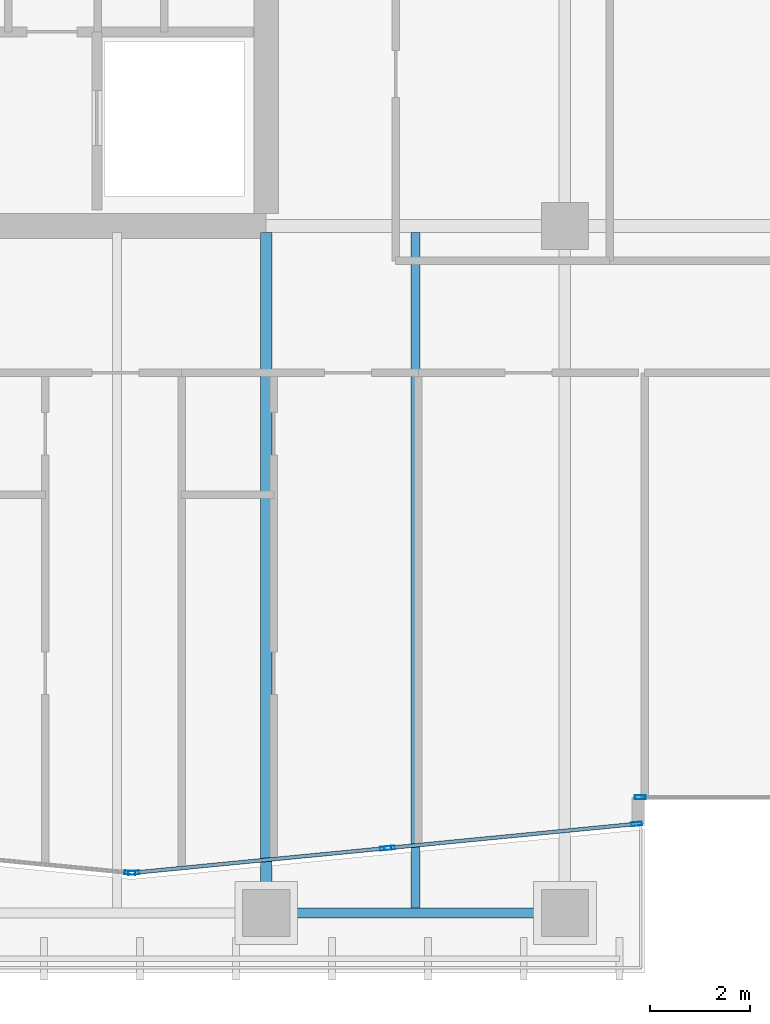
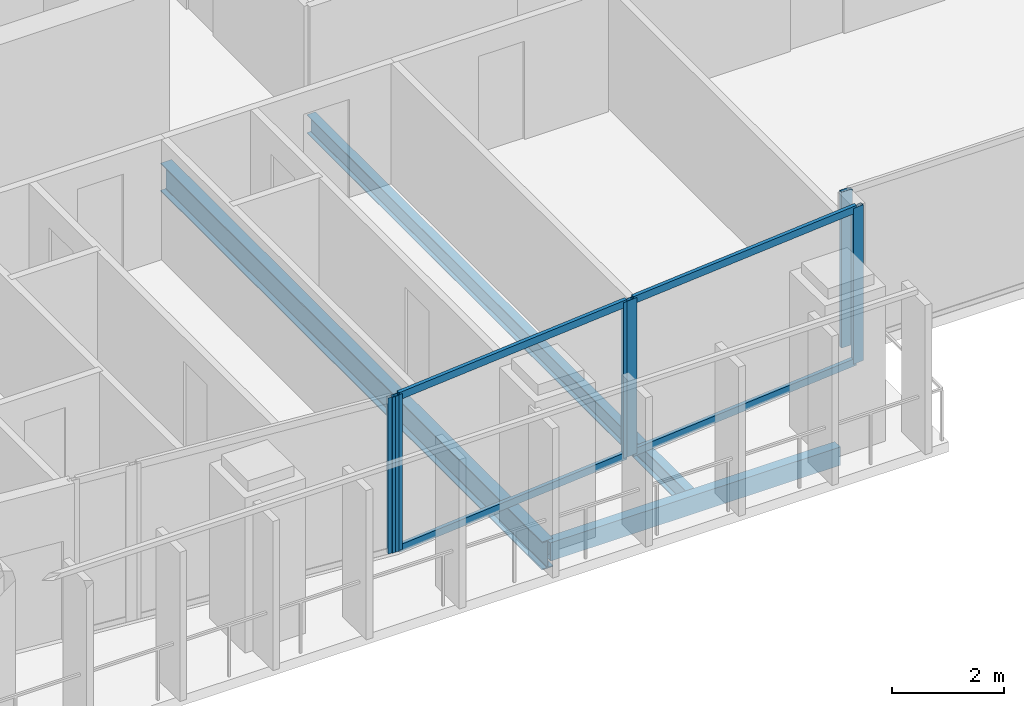
# One storey, part 5 of 39: 10 members, 3 beams, 4 elements without a shape of their own.
"""IFC4 building model written with IfcOpenShell, lengths in metres."""

from ifc_helpers import new_model, si_unit, direction, frame, origin, origin_2d, place, context, subcontext, project, spatial, hollow_rectangle, i_section, extrude, material, layer, layer_set, material_profile, profile_set, type_object, element, aggregate, save


model = new_model("IFC4")

# Units and contexts
model_context = context("Model", 3, precision=1e-05, world=origin(), true_north=direction((0.0, 1.0)))
body_context = subcontext(model_context, "Body", "Model", "MODEL_VIEW")
ifc_project = project(units=[si_unit("LENGTHUNIT", "METRE"), si_unit("AREAUNIT", "SQUARE_METRE"), si_unit("VOLUMEUNIT", "CUBIC_METRE"), si_unit("PLANEANGLEUNIT", "RADIAN"), si_unit("MASSUNIT", "GRAM", prefix="KILO")], contexts=[model_context])

# Site, building, storey
site_placement = place(None, origin())
site = spatial("IfcSite", under=ifc_project, at=site_placement, CompositionType="ELEMENT")
building_placement = place(site_placement, origin())
building = spatial("IfcBuilding", under=site, at=building_placement, Name="Tanjung Sevakor Pilgrim Tower", CompositionType="ELEMENT")
storey_placement = place(building_placement, frame((0.0, 0.0, 108.570068359375)))
storey = spatial("IfcBuildingStorey", under=building, at=storey_placement, Name="L30", CompositionType="ELEMENT", Elevation=108.570068359375)

# Beams
ifc_material_1 = material(Name="Steel S355J2", Category="steel")
ifc_material_profile_1 = material_profile(ifc_material_1, i_section(OverallWidth=0.230224609375, OverallDepth=0.6171875, WebThickness=0.01318359375, FlangeThickness=0.022216796875, FilletRadius=0.0126953125, at=origin_2d()))
ifc_profile_set_1 = profile_set([ifc_material_profile_1], Name="Steel S355J2")
beam_type_1 = type_object("IfcBeamType", Name="BM-B-G3-UB_610x229x140", PredefinedType="BEAM", material=ifc_profile_set_1)
beam_1_placement = place(storey_placement, frame((36.0, 10.800048828125, -0.528564453125), z_axis=(0.0, 1.0, 0.0), x_axis=(-1.0, 0.0, 0.0)))
element("IfcBeam", 1, at=beam_1_placement, inside=storey, type_object=beam_type_1, Name="L30 MAIN Girder 009", PredefinedType="BEAM", context=body_context, shape_type="SweptSolid", body=[
    extrude(i_section(OverallWidth=0.230224609375, OverallDepth=0.6171875, WebThickness=0.01318359375, FlangeThickness=0.022216796875, FilletRadius=0.0126953125, at=origin_2d()), origin(), (0.0, 0.0, 1.0), 13.672607421875),
])
ifc_material_2 = material(Name="Steel S355J2", Category="steel")
ifc_material_profile_2 = material_profile(ifc_material_2, i_section(OverallWidth=0.1787109375, OverallDepth=0.409423828125, WebThickness=0.0087890625, FlangeThickness=0.014404296875, FilletRadius=0.01025390625, at=origin_2d()))
ifc_profile_set_2 = profile_set([ifc_material_profile_2], Name="Steel S355J2")
beam_type_2 = type_object("IfcBeamType", Name="BM-B-J3-UB_406x178x67", PredefinedType="JOIST", material=ifc_profile_set_2)
beam_2_placement = place(storey_placement, frame((39.0, 10.89990234375, -0.4248046875), z_axis=(0.0, 1.0, 0.0), x_axis=(-1.0, 0.0, 0.0)))
element("IfcBeam", 2, at=beam_2_placement, inside=storey, type_object=beam_type_2, Name="L30 MAIN Joist 011", PredefinedType="JOIST", context=body_context, shape_type="SweptSolid", body=[
    extrude(i_section(OverallWidth=0.1787109375, OverallDepth=0.409423828125, WebThickness=0.0087890625, FlangeThickness=0.014404296875, FilletRadius=0.01025390625, at=origin_2d()), origin(), (0.0, 0.0, 1.0), 13.57275390625),
])
ifc_material_3 = material(Name="Steel S355J2", Category="steel")
ifc_material_profile_3 = material_profile(ifc_material_3, hollow_rectangle(XDim=0.199951171875, YDim=0.39990234375, WallThickness=0.01611328125, at=origin_2d()))
ifc_profile_set_3 = profile_set([ifc_material_profile_3], Name="Steel S355J2")
beam_type_3 = type_object("IfcBeamType", Name="BM-B-SP2-RHS_400x200x16", PredefinedType="SPANDREL", material=ifc_profile_set_3)
beam_3_placement = place(storey_placement, frame((36.0, 10.800048828125, -0.420166015625), z_axis=(1.0, 0.0, 0.0), x_axis=(0.0, 1.0, 0.0)))
element("IfcBeam", 3, at=beam_3_placement, inside=storey, type_object=beam_type_3, Name="L30 Spandrel MAIN S-05", PredefinedType="SPANDREL", context=body_context, shape_type="SweptSolid", body=[
    extrude(hollow_rectangle(XDim=0.199951171875, YDim=0.39990234375, WallThickness=0.01611328125, at=origin_2d()), origin(), (0.0, 0.0, 1.0), 6.0),
])

# Curtain wall, member
ifc_material_4 = material(Name="Aluminium 6063-T6 and Low-E Glass", Category="aluminium")
ifc_layer_1 = layer(ifc_material_4, 0.199951171875)
ifc_layer_set_1 = layer_set([ifc_layer_1], Name="CW-SYS-PRAY")
curtain_wall_type_1 = type_object("IfcCurtainWallType", Name="CW-SYS-PRAY", PredefinedType="NOTDEFINED", material=ifc_layer_set_1)
curtain_wall_1_placement = place(storey_placement, origin())
curtain_wall_1 = element("IfcCurtainWall", 4, at=curtain_wall_1_placement, inside=storey, type_object=curtain_wall_type_1, Name="L30 Curtain Wall CW-PRY-L30-3", PredefinedType="NOTDEFINED")
ifc_material_5 = material(Name="Aluminium 6063-T6", Category="aluminium")
ifc_material_profile_4 = material_profile(ifc_material_5, hollow_rectangle(XDim=0.074951171875, YDim=0.219970703125, WallThickness=0.0048828125, at=origin_2d()))
ifc_profile_set_4 = profile_set([ifc_material_profile_4], Name="Aluminium 6063-T6")
member_type_1 = type_object("IfcMemberType", Name="TYPE-CWM-2", PredefinedType="MULLION", material=ifc_profile_set_4)
member_1_placement = place(storey_placement, frame((33.2626953125, 11.609130859375, 0.0), z_axis=(0.0, 0.0, 1.0), x_axis=(0.096628173007, 0.995320549462, 0.0)))
member_1 = element("IfcMember", 5, at=member_1_placement, type_object=member_type_1, Name="CW-PRY mullion 2", PredefinedType="MULLION", context=body_context, shape_type="SweptSolid", body=[
    extrude(hollow_rectangle(XDim=0.074951171875, YDim=0.219970703125, WallThickness=0.0048828125, at=origin_2d()), origin(), (0.0, 0.0, 1.0), 3.409912109375),
])
aggregate(curtain_wall_1, [member_1])

# Curtain wall, members
curtain_wall_2_placement = place(storey_placement, origin())
curtain_wall_2 = element("IfcCurtainWall", 6, at=curtain_wall_2_placement, inside=storey, type_object=curtain_wall_type_1, Name="L30 Curtain Wall CW-PRY-L30-4", PredefinedType="NOTDEFINED")
member_2_placement = place(storey_placement, frame((33.33740234375, 11.609130859375, 0.0), z_axis=(0.0, 0.0, 1.0), x_axis=(-0.096628173007, 0.995320549462, 0.0)))
member_2 = element("IfcMember", 7, at=member_2_placement, type_object=member_type_1, Name="CW-PRY mullion 1", PredefinedType="MULLION", context=body_context, shape_type="SweptSolid", body=[
    extrude(hollow_rectangle(XDim=0.074951171875, YDim=0.219970703125, WallThickness=0.0048828125, at=origin_2d()), origin(), (0.0, 0.0, 1.0), 3.409912109375),
])
member_3_placement = place(storey_placement, frame((38.400634765625, 12.100830078125, 0.0), z_axis=(0.0, 0.0, 1.0), x_axis=(-0.096628173007, 0.995320549462, 0.0)))
member_3 = element("IfcMember", 8, at=member_3_placement, type_object=member_type_1, Name="CW-PRY mullion 2", PredefinedType="MULLION", context=body_context, shape_type="SweptSolid", body=[
    extrude(hollow_rectangle(XDim=0.074951171875, YDim=0.219970703125, WallThickness=0.0048828125, at=origin_2d()), origin(), (0.0, 0.0, 1.0), 3.409912109375),
])

curtain_wall_3_placement = place(storey_placement, origin())
curtain_wall_3 = element("IfcCurtainWall", 9, at=curtain_wall_3_placement, inside=storey, type_object=curtain_wall_type_1, Name="L30 Curtain Wall CW-PRY-L30-5", PredefinedType="NOTDEFINED")
member_4_placement = place(storey_placement, frame((38.475341796875, 12.10791015625, 0.0), z_axis=(0.0, 0.0, 1.0), x_axis=(-0.096644990598, 0.995318916625, 0.0)))
member_4 = element("IfcMember", 10, at=member_4_placement, type_object=member_type_1, Name="CW-PRY mullion 1", PredefinedType="MULLION", context=body_context, shape_type="SweptSolid", body=[
    extrude(hollow_rectangle(XDim=0.074951171875, YDim=0.219970703125, WallThickness=0.0048828125, at=origin_2d()), origin(), (0.0, 0.0, 1.0), 3.409912109375),
])
member_5_placement = place(storey_placement, frame((43.437744140625, 12.58984375, 0.0), z_axis=(0.0, 0.0, 1.0), x_axis=(-0.096644990598, 0.995318916625, 0.0)))
member_5 = element("IfcMember", 11, at=member_5_placement, type_object=member_type_1, Name="CW-PRY mullion 2", PredefinedType="MULLION", context=body_context, shape_type="SweptSolid", body=[
    extrude(hollow_rectangle(XDim=0.074951171875, YDim=0.219970703125, WallThickness=0.0048828125, at=origin_2d()), origin(), (0.0, 0.0, 1.0), 3.409912109375),
])

# Curtain wall, member
ifc_material_6 = material(Name="Aluminium 6063-T6 and Low-E Glass", Category="aluminium")
ifc_layer_2 = layer(ifc_material_6, 0.179931640625)
ifc_layer_set_2 = layer_set([ifc_layer_2], Name="CW-SYS-CLEFT")
curtain_wall_type_2 = type_object("IfcCurtainWallType", Name="CW-SYS-CLEFT", PredefinedType="NOTDEFINED", material=ifc_layer_set_2)
curtain_wall_4_placement = place(storey_placement, origin())
curtain_wall_4 = element("IfcCurtainWall", 12, at=curtain_wall_4_placement, inside=storey, type_object=curtain_wall_type_2, Name="L30 Curtain Wall CW-CLF-L30-7", PredefinedType="NOTDEFINED")
member_6_placement = place(storey_placement, frame((43.512451171875, 13.125, 0.0), z_axis=(0.0, 0.0, 1.0), x_axis=(0.0, 1.0, 0.0)))
member_6 = element("IfcMember", 13, at=member_6_placement, type_object=member_type_1, Name="CW-CLF mullion 1", PredefinedType="MULLION", context=body_context, shape_type="SweptSolid", body=[
    extrude(hollow_rectangle(XDim=0.074951171875, YDim=0.219970703125, WallThickness=0.0048828125, at=origin_2d()), origin(), (0.0, 0.0, 1.0), 3.409912109375),
])
aggregate(curtain_wall_4, [member_6])

# Member
ifc_material_7 = material(Name="Aluminium 6063-T6", Category="aluminium")
ifc_material_profile_5 = material_profile(ifc_material_7, hollow_rectangle(XDim=0.074951171875, YDim=0.159912109375, WallThickness=0.00439453125, at=origin_2d()))
ifc_profile_set_5 = profile_set([ifc_material_profile_5], Name="Aluminium 6063-T6")
member_type_2 = type_object("IfcMemberType", Name="TYPE-CWT-2", PredefinedType="USERDEFINED", material=ifc_profile_set_5)
member_7_placement = place(storey_placement, frame((33.374755859375, 11.61279296875, 0.037353515625), z_axis=(0.995319078392, 0.096643324599, 0.0), x_axis=(-0.096643324599, 0.995319078392, 0.0)))
member_7 = element("IfcMember", 14, at=member_7_placement, type_object=member_type_2, Name="CW-PRY transom 1.1", ObjectType="TRANSOM", PredefinedType="USERDEFINED", context=body_context, shape_type="SweptSolid", body=[
    extrude(hollow_rectangle(XDim=0.074951171875, YDim=0.159912109375, WallThickness=0.00439453125, at=origin_2d()), origin(), (0.0, 0.0, 1.0), 5.011962890625),
])

member_8_placement = place(storey_placement, frame((33.374755859375, 11.61279296875, 3.372314453125), z_axis=(0.995319078392, 0.096643324599, 0.0), x_axis=(-0.096643324599, 0.995319078392, 0.0)))
member_8 = element("IfcMember", 15, at=member_8_placement, type_object=member_type_2, Name="CW-PRY transom 1.2", ObjectType="TRANSOM", PredefinedType="USERDEFINED", context=body_context, shape_type="SweptSolid", body=[
    extrude(hollow_rectangle(XDim=0.074951171875, YDim=0.159912109375, WallThickness=0.00439453125, at=origin_2d()), origin(), (0.0, 0.0, 1.0), 5.011962890625),
])

aggregate(curtain_wall_2, [member_2, member_3, member_7, member_8])

member_9_placement = place(storey_placement, frame((38.512451171875, 12.111572265625, 0.037353515625), z_axis=(0.995319057797, 0.096643536704, 0.0), x_axis=(-0.096643536704, 0.995319057797, 0.0)))
member_9 = element("IfcMember", 16, at=member_9_placement, type_object=member_type_2, Name="CW-PRY transom 1.1", ObjectType="TRANSOM", PredefinedType="USERDEFINED", context=body_context, shape_type="SweptSolid", body=[
    extrude(hollow_rectangle(XDim=0.074951171875, YDim=0.159912109375, WallThickness=0.00439453125, at=origin_2d()), origin(), (0.0, 0.0, 1.0), 4.910888671875),
])

member_10_placement = place(storey_placement, frame((38.512451171875, 12.111572265625, 3.372314453125), z_axis=(0.995319057797, 0.096643536704, 0.0), x_axis=(-0.096643536704, 0.995319057797, 0.0)))
member_10 = element("IfcMember", 17, at=member_10_placement, type_object=member_type_2, Name="CW-PRY transom 1.2", ObjectType="TRANSOM", PredefinedType="USERDEFINED", context=body_context, shape_type="SweptSolid", body=[
    extrude(hollow_rectangle(XDim=0.074951171875, YDim=0.159912109375, WallThickness=0.00439453125, at=origin_2d()), origin(), (0.0, 0.0, 1.0), 4.910888671875),
])

aggregate(curtain_wall_3, [member_4, member_5, member_9, member_10])

save(model, "model.ifc")
